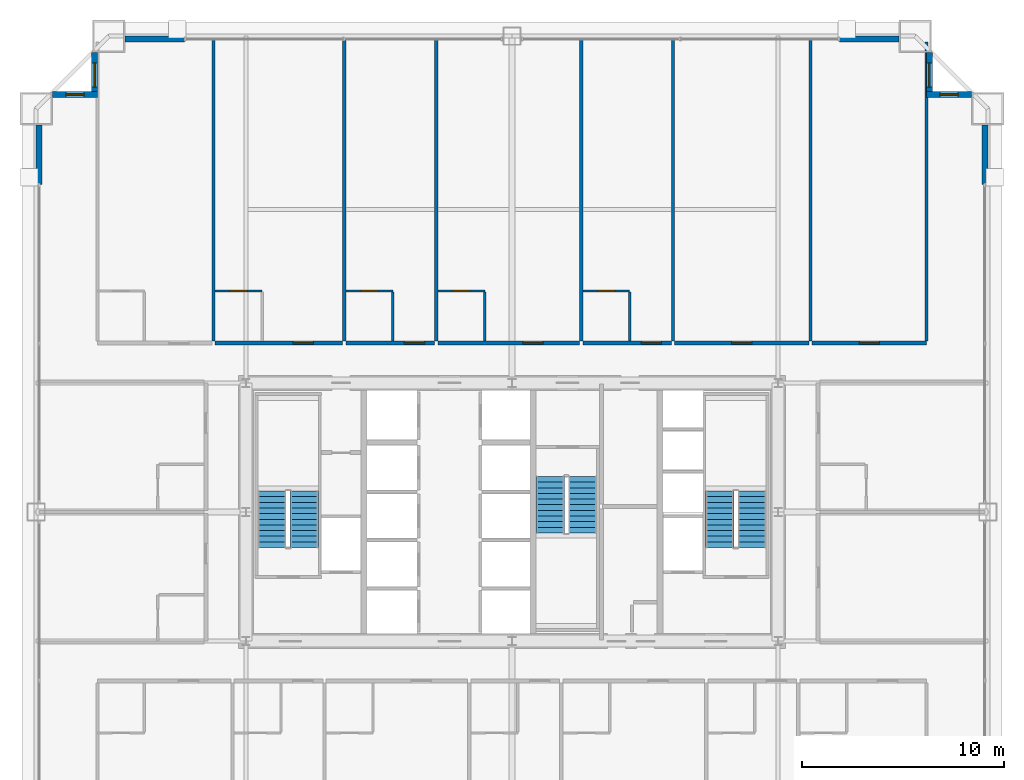
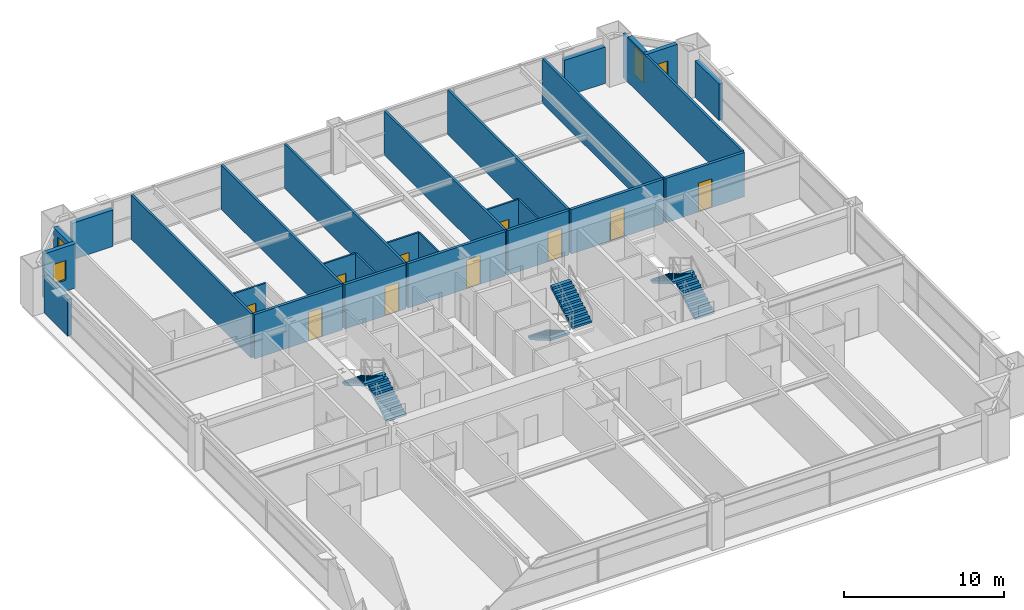
# One storey, part 37 of 38: 28 walls, 10 doors, 6 stair flights, 4 windows, 14 openings, 3 elements without a shape of their own.
"""IFC4 building model written with IfcOpenShell, lengths in metres."""

import ifcopenshell
import ifcopenshell.guid

model = None  # the IFC model being written
_history = None  # IfcOwnerHistory: only IFC2X3 demands one
_inside = {}  # id of a spatial element -> (the spatial element, [elements in it])
_under = {}  # id of a project, library or spatial element -> (it, [spatial elements below it])
_declared = {}  # id of a project -> (the project, [libraries it declares])
_typed = {}  # id of a type object -> (the type object, [elements of that type])
_made_of = {}  # id of a material, layer set ... -> (it, [elements and type objects made of it])


def new_model(schema):
    """Start an empty IFC model of exactly this schema.

    Asked for "IFC4X3", IfcOpenShell would pick the latest addendum, in which some entities
    have other attributes; the version numbers below select the first issue.
    IFC2X3 requires an IfcOwnerHistory on every rooted entity: one is made here for all.
    """
    global model, _history
    if schema == "IFC4X3":
        model = ifcopenshell.file(schema_version=(4, 3, 0, 0))
    else:
        model = ifcopenshell.file(schema=schema)
    _inside.clear()
    _under.clear()
    _declared.clear()
    _typed.clear()
    _made_of.clear()
    _history = None
    if model.schema == "IFC2X3":
        org = make("IfcOrganization", Name="unknown")
        user = make(
            "IfcPersonAndOrganization",
            ThePerson=make("IfcPerson", FamilyName="unknown"),
            TheOrganization=org,
        )
        app = make(
            "IfcApplication",
            ApplicationDeveloper=org,
            Version="unknown",
            ApplicationFullName="unknown",
            ApplicationIdentifier="unknown",
        )
        _history = make(
            "IfcOwnerHistory",
            OwningUser=user,
            OwningApplication=app,
            ChangeAction="ADDED",
            CreationDate=0,
        )
    return model


def make(cls, **values):
    """One entity of the class cls with the attributes given. An attribute that is None is left unset."""
    return model.create_entity(
        cls, **{name: value for name, value in values.items() if value is not None}
    )


def rooted(cls, **values):
    """An entity with a GlobalId (a new one), such as an element, a storey or a relation."""
    return make(cls, GlobalId=ifcopenshell.guid.new(), OwnerHistory=_history, **values)


def si_unit(unit_type, name, prefix=None):
    """IfcSIUnit, for example si_unit("LENGTHUNIT", "METRE", prefix="MILLI")."""
    return make("IfcSIUnit", UnitType=unit_type, Prefix=prefix, Name=name)


def assignment(units):
    """IfcUnitAssignment: the units of a project."""
    return None if units is None else make("IfcUnitAssignment", Units=units)


def point(xyz):
    """IfcCartesianPoint."""
    return None if xyz is None else make("IfcCartesianPoint", Coordinates=xyz)


def direction(xyz):
    """IfcDirection."""
    return None if xyz is None else make("IfcDirection", DirectionRatios=xyz)


def frame(location, z_axis=None, x_axis=None):
    """IfcAxis2Placement3D, a coordinate frame: its origin and axes. An axis left out is left unset."""
    return make(
        "IfcAxis2Placement3D",
        Location=point(location),
        Axis=direction(z_axis),
        RefDirection=direction(x_axis),
    )


def frame_2d(location, x_axis=None):
    """IfcAxis2Placement2D, a coordinate frame in the plane: its origin and x axis."""
    return make(
        "IfcAxis2Placement2D", Location=point(location), RefDirection=direction(x_axis)
    )


def origin():
    """The frame at (0, 0, 0) with its axes left unset."""
    return frame((0.0, 0.0, 0.0))


def place(relative_to, where):
    """IfcLocalPlacement: puts the frame where relative to a parent placement (None: the world)."""
    return make(
        "IfcLocalPlacement", PlacementRelTo=relative_to, RelativePlacement=where
    )


def context(
    kind, dimensions, precision=None, world=None, true_north=None, identifier=None
):
    """IfcGeometricRepresentationContext, for example the 3D "Model" context."""
    return make(
        "IfcGeometricRepresentationContext",
        ContextIdentifier=identifier,
        ContextType=kind,
        CoordinateSpaceDimension=dimensions,
        Precision=precision,
        WorldCoordinateSystem=world,
        TrueNorth=true_north,
    )


def subcontext(parent, identifier, kind, view, scale=None):
    """IfcGeometricRepresentationSubContext, for example "Body" below "Model"."""
    return make(
        "IfcGeometricRepresentationSubContext",
        ContextIdentifier=identifier,
        ContextType=kind,
        ParentContext=parent,
        TargetScale=scale,
        TargetView=view,
    )


def project(units=None, contexts=None):
    """IfcProject with its units and contexts."""
    return rooted(
        "IfcProject",
        Name="project",
        RepresentationContexts=contexts,
        UnitsInContext=assignment(units),
    )


def spatial(cls, under=None, at=None, **own):
    """A site, building, storey or space (cls), placed at a placement, below another one or the project."""
    s = rooted(cls, ObjectPlacement=at, **own)
    if under is not None:
        _under.setdefault(under.id(), (under, []))[1].append(s)
    return s


def polyline(points):
    """IfcPolyline through the points."""
    return make("IfcPolyline", Points=[point(p) for p in points])


def profile(cls, at=None, kind="AREA", **sizes):
    """A parametric profile (cls). Its sizes go by their IFC names, for example OverallWidth=200.0."""
    return make(cls, ProfileType=kind, Position=at, **sizes)


def rectangle(**sizes):
    """IfcRectangleProfileDef."""
    return profile("IfcRectangleProfileDef", **sizes)


def outline(outer, holes=None, kind="AREA"):
    """IfcArbitraryClosedProfileDef: a profile drawn as a closed curve; with holes, ...WithVoids."""
    if holes is None:
        return make("IfcArbitraryClosedProfileDef", ProfileType=kind, OuterCurve=outer)
    return make(
        "IfcArbitraryProfileDefWithVoids",
        ProfileType=kind,
        OuterCurve=outer,
        InnerCurves=holes,
    )


def extrude(swept, where, along, depth):
    """IfcExtrudedAreaSolid: the profile swept, set in the frame where, extruded along a direction by depth."""
    return make(
        "IfcExtrudedAreaSolid",
        SweptArea=swept,
        Position=where,
        ExtrudedDirection=direction(along),
        Depth=depth,
    )


def shape(context_of_items, identifier, shape_type, items):
    """IfcShapeRepresentation: the items that make up one representation, for example the "Body"."""
    return make(
        "IfcShapeRepresentation",
        ContextOfItems=context_of_items,
        RepresentationIdentifier=identifier,
        RepresentationType=shape_type,
        Items=items,
    )


def source(mapping_origin, context_of_items, identifier, shape_type, items):
    """IfcRepresentationMap: a shape defined once, which mapped items show again and again."""
    return make(
        "IfcRepresentationMap",
        MappingOrigin=mapping_origin,
        MappedRepresentation=shape(context_of_items, identifier, shape_type, items),
    )


def transform(
    local_origin,
    x_axis=None,
    y_axis=None,
    z_axis=None,
    scale=None,
    scale2=None,
    scale3=None,
    uniform=True,
):
    """IfcCartesianTransformationOperator3D, or its non-uniform kind. x_axis, y_axis, z_axis: its Axis1, 2, 3."""
    if uniform:
        return make(
            "IfcCartesianTransformationOperator3D",
            Axis1=direction(x_axis),
            Axis2=direction(y_axis),
            LocalOrigin=point(local_origin),
            Scale=scale,
            Axis3=direction(z_axis),
        )
    return make(
        "IfcCartesianTransformationOperator3DnonUniform",
        Axis1=direction(x_axis),
        Axis2=direction(y_axis),
        LocalOrigin=point(local_origin),
        Scale=scale,
        Axis3=direction(z_axis),
        Scale2=scale2,
        Scale3=scale3,
    )


def mapped(mapping_source, mapping_target):
    """IfcMappedItem: shows the shape of a source again, moved by a transform."""
    return make(
        "IfcMappedItem", MappingSource=mapping_source, MappingTarget=mapping_target
    )


def material(Name=None, Category=None):
    """IfcMaterial."""
    return make("IfcMaterial", Name=Name, Category=Category)


def layer(
    of_material, thickness, ventilated=None, Name=None, Category=None, Priority=None
):
    """IfcMaterialLayer: one layer of a wall or slab, of a material (None: an air gap)."""
    return make(
        "IfcMaterialLayer",
        Material=of_material,
        LayerThickness=thickness,
        IsVentilated=ventilated,
        Name=Name,
        Category=Category,
        Priority=Priority,
    )


def layer_set(layers, Name=None):
    """IfcMaterialLayerSet."""
    return make("IfcMaterialLayerSet", MaterialLayers=layers, LayerSetName=Name)


def made_of(thing, what):
    """Note that an element or type object is made of a material, layer set ...; save() writes the relation."""
    if what is not None:
        _made_of.setdefault(what.id(), (what, []))[1].append(thing)
    return thing


def type_object(cls, material=None, **own):
    """A type object (cls), such as IfcWallType, which elements share."""
    return made_of(rooted(cls, **own), material)


def element(
    cls,
    number,
    at=None,
    inside=None,
    cuts=None,
    type_object=None,
    material=None,
    context=None,
    identifier="Body",
    shape_type=None,
    held_by="IfcProductDefinitionShape",
    body=None,
    shapes=None,
    **own,
):
    """One element of the class cls, such as IfcWall. Its Tag is "e" and its number.

    at: its placement. inside: the storey or other place that contains it. cuts: it is an
    opening in that element (IfcRelVoidsElement). A single representation is given by context,
    identifier, shape_type and body (its items); several are given by shapes. held_by: the class
    of the entity that holds the representations. save() writes the other relations.
    """
    e = rooted(cls, Tag="e%d" % number, ObjectPlacement=at, **own)
    if body is not None:
        shapes = [shape(context, identifier, shape_type, body)]
    if shapes is not None:
        e.Representation = make(held_by, Representations=shapes)
    if inside is not None:
        _inside.setdefault(inside.id(), (inside, []))[1].append(e)
    if cuts is not None:
        rooted(
            "IfcRelVoidsElement", RelatingBuildingElement=cuts, RelatedOpeningElement=e
        )
    if type_object is not None:
        _typed.setdefault(type_object.id(), (type_object, []))[1].append(e)
    return made_of(e, material)


def fill(opening, filler):
    """IfcRelFillsElement: the door or window that sits in an opening."""
    return rooted(
        "IfcRelFillsElement",
        RelatingOpeningElement=opening,
        RelatedBuildingElement=filler,
    )


def aggregate(whole, parts):
    """IfcRelAggregates: a whole, such as a stair, and the parts it consists of."""
    return rooted("IfcRelAggregates", RelatingObject=whole, RelatedObjects=parts)


def save(model, path):
    """Write the relations noted so far, then the file.

    IfcRelAggregates (storeys below a building ...), IfcRelContainedInSpatialStructure (elements
    in a storey), IfcRelDefinesByType, IfcRelAssociatesMaterial and IfcRelDeclares: one each for
    every whole, place, type object, material and project.
    """
    for whole, parts in _under.values():
        aggregate(whole, parts)
    for where, things in _inside.values():
        rooted(
            "IfcRelContainedInSpatialStructure",
            RelatedElements=things,
            RelatingStructure=where,
        )
    for kind, things in _typed.values():
        rooted("IfcRelDefinesByType", RelatedObjects=things, RelatingType=kind)
    for what, things in _made_of.values():
        rooted("IfcRelAssociatesMaterial", RelatedObjects=things, RelatingMaterial=what)
    for by, libraries in _declared.values():
        rooted("IfcRelDeclares", RelatingContext=by, RelatedDefinitions=libraries)
    model.write(path)


model = new_model("IFC4")

# Units and contexts
model_context = context("Model", 3, precision=1e-05, world=origin(), true_north=direction((0.0, 1.0)))
body_context = subcontext(model_context, "Body", "Model", "MODEL_VIEW")
ifc_project = project(units=[si_unit("LENGTHUNIT", "METRE"), si_unit("AREAUNIT", "SQUARE_METRE"), si_unit("VOLUMEUNIT", "CUBIC_METRE"), si_unit("PLANEANGLEUNIT", "RADIAN"), si_unit("MASSUNIT", "GRAM", prefix="KILO"), si_unit("THERMODYNAMICTEMPERATUREUNIT", "KELVIN"), si_unit("POWERUNIT", "WATT")], contexts=[model_context])

# Site, building, storey
site_placement = place(None, origin())
site = spatial("IfcSite", under=ifc_project, at=site_placement, CompositionType="ELEMENT")
building_placement = place(site_placement, origin())
building = spatial("IfcBuilding", under=site, at=building_placement, Name="Yuzanri Waterfront Tower", CompositionType="ELEMENT")
storey_placement = place(building_placement, frame((0.0, 0.0, 97.39990234375)))
storey = spatial("IfcBuildingStorey", under=building, at=storey_placement, Name="L25", CompositionType="ELEMENT", Elevation=97.39990234375)

# Wall, opening, door
ifc_material_1 = material(Name="Moisture-Resistant Gypsum Stud Wall", Category="gypsum")
ifc_layer_1 = layer(ifc_material_1, 0.1201171875)
ifc_layer_set_1 = layer_set([ifc_layer_1], Name="Moisture-Resistant Gypsum Stud Wall")
wall_type_1 = type_object("IfcWallType", Name="Bathroom and Kitchen Wet Partition 120", PredefinedType="PARTITIONING", material=ifc_layer_set_1)
wall_1_placement = place(storey_placement, frame((22.277099609375, 36.760009765625, 0.0), z_axis=(0.0, 0.0, 1.0), x_axis=(1.0, 0.0, 0.0)))
wall_1 = element("IfcWall", 1, at=wall_1_placement, inside=storey, type_object=wall_type_1, Name="L25 Partition UW-L25-N2-BN", PredefinedType="PARTITIONING", context=body_context, shape_type="SweptSolid", body=[
    extrude(rectangle(XDim=2.329833984375, YDim=0.1201171875, at=frame_2d((1.1650390625, 0.0))), origin(), (0.0, 0.0, 1.0), 3.380126953125),
])
opening_1_placement = place(wall_1_placement, frame((0.739990234375, 0.0, 0.0)))
opening_1 = element("IfcOpeningElement", 2, at=opening_1_placement, cuts=wall_1, Name="Opening ID-0850", PredefinedType="OPENING", context=body_context, shape_type="SweptSolid", body=[
    extrude(rectangle(XDim=0.85009765625, YDim=2.10009765625, at=frame_2d((0.425048828125, 1.050048828125))), frame((0.0, 0.074951171875, 0.0), z_axis=(0.0, -1.0, 0.0), x_axis=(1.0, 0.0, 0.0)), (0.0, 0.0, 1.0), 0.14990234375),
])
ifc_material_2 = material(Name="Moisture-Resistant Lacquered Timber", Category="wood")
door_type_1 = type_object("IfcDoorType", Name="En-Suite Bathroom and Kitchen Swing Door 850x2100", OperationType="NOTDEFINED", PredefinedType="DOOR", material=ifc_material_2)
shared_shape_1 = source(origin(), body_context, "Body", "SweptSolid", [
    extrude(rectangle(XDim=0.85009765625, YDim=2.10009765625, at=frame_2d((0.425048828125, 1.050048828125))), frame((0.0, 0.02490234375, 0.0), z_axis=(0.0, -1.0, 0.0), x_axis=(1.0, 0.0, 0.0)), (0.0, 0.0, 1.0), 0.050048828125),
])
door_1_placement = place(opening_1_placement, origin())
door_1 = element("IfcDoor", 3, at=door_1_placement, inside=storey, type_object=door_type_1, Name="L25 Guest En-Suite Door", OperationType="SINGLE_SWING_LEFT", OverallHeight=2.10009765625, OverallWidth=0.85009765625, PredefinedType="DOOR", context=body_context, shape_type="MappedRepresentation", body=[
    mapped(shared_shape_1, transform((0.0, 0.0, 0.0), scale=1.0)),
])
fill(opening_1, door_1)

wall_2_placement = place(storey_placement, frame((28.761962890625, 36.760009765625, 0.0), z_axis=(0.0, 0.0, 1.0), x_axis=(1.0, 0.0, 0.0)))
wall_2 = element("IfcWall", 4, at=wall_2_placement, inside=storey, type_object=wall_type_1, Name="L25 Partition UW-L25-N3-BN", PredefinedType="PARTITIONING", context=body_context, shape_type="SweptSolid", body=[
    extrude(rectangle(XDim=2.328125, YDim=0.1201171875, at=frame_2d((1.1640625, 0.0))), origin(), (0.0, 0.0, 1.0), 3.380126953125),
])
opening_2_placement = place(wall_2_placement, frame((0.739013671875, 0.0, 0.0)))
opening_2 = element("IfcOpeningElement", 5, at=opening_2_placement, cuts=wall_2, Name="Opening ID-0850", PredefinedType="OPENING", context=body_context, shape_type="SweptSolid", body=[
    extrude(rectangle(XDim=0.85009765625, YDim=2.10009765625, at=frame_2d((0.425048828125, 1.050048828125))), frame((0.0, 0.074951171875, 0.0), z_axis=(0.0, -1.0, 0.0), x_axis=(1.0, 0.0, 0.0)), (0.0, 0.0, 1.0), 0.14990234375),
])
door_2_placement = place(opening_2_placement, origin())
door_2 = element("IfcDoor", 6, at=door_2_placement, inside=storey, type_object=door_type_1, Name="L25 Guest En-Suite Door", OperationType="SINGLE_SWING_LEFT", OverallHeight=2.10009765625, OverallWidth=0.85009765625, PredefinedType="DOOR", context=body_context, shape_type="MappedRepresentation", body=[
    mapped(shared_shape_1, transform((0.0, 0.0, 0.0), scale=1.0)),
])
fill(opening_2, door_2)

wall_3_placement = place(storey_placement, frame((33.320068359375, 36.760009765625, 0.0), z_axis=(0.0, 0.0, 1.0), x_axis=(1.0, 0.0, 0.0)))
wall_3 = element("IfcWall", 7, at=wall_3_placement, inside=storey, type_object=wall_type_1, Name="L25 Partition UW-L25-N4-BN", PredefinedType="PARTITIONING", context=body_context, shape_type="SweptSolid", body=[
    extrude(rectangle(XDim=2.329833984375, YDim=0.1201171875, at=frame_2d((1.1650390625, 0.0))), origin(), (0.0, 0.0, 1.0), 3.380126953125),
])
opening_3_placement = place(wall_3_placement, frame((0.739990234375, 0.0, 0.0)))
opening_3 = element("IfcOpeningElement", 8, at=opening_3_placement, cuts=wall_3, Name="Opening ID-0850", PredefinedType="OPENING", context=body_context, shape_type="SweptSolid", body=[
    extrude(rectangle(XDim=0.85009765625, YDim=2.10009765625, at=frame_2d((0.425048828125, 1.050048828125))), frame((0.0, 0.074951171875, 0.0), z_axis=(0.0, -1.0, 0.0), x_axis=(1.0, 0.0, 0.0)), (0.0, 0.0, 1.0), 0.14990234375),
])
door_3_placement = place(opening_3_placement, origin())
door_3 = element("IfcDoor", 9, at=door_3_placement, inside=storey, type_object=door_type_1, Name="L25 Guest En-Suite Door", OperationType="SINGLE_SWING_LEFT", OverallHeight=2.10009765625, OverallWidth=0.85009765625, PredefinedType="DOOR", context=body_context, shape_type="MappedRepresentation", body=[
    mapped(shared_shape_1, transform((0.0, 0.0, 0.0), scale=1.0)),
])
fill(opening_3, door_3)

wall_4_placement = place(storey_placement, frame((40.510986328125, 36.760009765625, 0.0), z_axis=(0.0, 0.0, 1.0), x_axis=(1.0, 0.0, 0.0)))
wall_4 = element("IfcWall", 10, at=wall_4_placement, inside=storey, type_object=wall_type_1, Name="L25 Partition UW-L25-N5-BN", PredefinedType="PARTITIONING", context=body_context, shape_type="SweptSolid", body=[
    extrude(rectangle(XDim=2.328125, YDim=0.1201171875, at=frame_2d((1.1640625, 0.0))), origin(), (0.0, 0.0, 1.0), 3.380126953125),
])
opening_4_placement = place(wall_4_placement, frame((0.739013671875, 0.0, 0.0)))
opening_4 = element("IfcOpeningElement", 11, at=opening_4_placement, cuts=wall_4, Name="Opening ID-0850", PredefinedType="OPENING", context=body_context, shape_type="SweptSolid", body=[
    extrude(rectangle(XDim=0.85009765625, YDim=2.10009765625, at=frame_2d((0.425048828125, 1.050048828125))), frame((0.0, 0.074951171875, 0.0), z_axis=(0.0, -1.0, 0.0), x_axis=(1.0, 0.0, 0.0)), (0.0, 0.0, 1.0), 0.14990234375),
])
door_4_placement = place(opening_4_placement, origin())
door_4 = element("IfcDoor", 12, at=door_4_placement, inside=storey, type_object=door_type_1, Name="L25 Guest En-Suite Door", OperationType="SINGLE_SWING_LEFT", OverallHeight=2.10009765625, OverallWidth=0.85009765625, PredefinedType="DOOR", context=body_context, shape_type="MappedRepresentation", body=[
    mapped(shared_shape_1, transform((0.0, 0.0, 0.0), scale=1.0)),
])
fill(opening_4, door_4)

# Wall, opening, window
ifc_material_3 = material(Name="Honed Chongqing Dark Basalt Stone", Category="masonry")
ifc_layer_2 = layer(ifc_material_3, 0.300048828125)
ifc_layer_set_2 = layer_set([ifc_layer_2], Name="Honed Chongqing Dark Basalt Stone")
wall_type_2 = type_object("IfcWallType", Name="Bronze Rainscreen Insulated Spandrel Portal Wall 300", PredefinedType="SOLIDWALL", material=ifc_layer_set_2)
wall_5_placement = place(storey_placement, frame((16.449951171875, 46.5, 0.0), z_axis=(0.0, 0.0, 1.0), x_axis=(-1.0, 0.0, 0.0)))
wall_5 = element("IfcWall", 13, at=wall_5_placement, inside=storey, type_object=wall_type_2, Name="L25 Notched Corner Masonry Wall NW-X", PredefinedType="SOLIDWALL", context=body_context, shape_type="SweptSolid", body=[
    extrude(rectangle(XDim=2.25, YDim=0.300048828125, at=frame_2d((1.125, 0.0))), origin(), (0.0, 0.0, 1.0), 3.380126953125),
])
opening_5_placement = place(wall_5_placement, frame((0.675048828125, 0.0, 0.85009765625)))
opening_5 = element("IfcOpeningElement", 14, at=opening_5_placement, cuts=wall_5, Name="Opening WN-05", PredefinedType="OPENING", context=body_context, shape_type="SweptSolid", body=[
    extrude(rectangle(XDim=0.89990234375, YDim=1.5, at=frame_2d((0.449951171875, 0.75))), frame((0.0, 0.1650390625, 0.0), z_axis=(0.0, -1.0, 0.0), x_axis=(1.0, 0.0, 0.0)), (0.0, 0.0, 1.0), 0.329833984375),
])
ifc_material_4 = material(Name="Double-Silver Low-E Insulated Glass", Category="glass")
window_type_1 = type_object("IfcWindowType", Name="Anodized Bronze Service and Stairwell Smoke-Vent Window 900x1500", PartitioningType="SINGLE_PANEL", PredefinedType="WINDOW", material=ifc_material_4)
shared_shape_2 = source(origin(), body_context, "Body", "SweptSolid", [
    extrude(rectangle(XDim=0.89990234375, YDim=1.5, at=frame_2d((0.449951171875, 0.75))), frame((0.0, 0.030029296875, 0.0), z_axis=(0.0, -1.0, 0.0), x_axis=(1.0, 0.0, 0.0)), (0.0, 0.0, 1.0), 0.06005859375),
])
window_1_placement = place(opening_5_placement, origin())
window_1 = element("IfcWindow", 15, at=window_1_placement, inside=storey, type_object=window_type_1, Name="L25 Notched Corner Window NW-X", OverallHeight=1.5, OverallWidth=0.89990234375, PartitioningType="SINGLE_PANEL", PredefinedType="WINDOW", context=body_context, shape_type="MappedRepresentation", body=[
    mapped(shared_shape_2, transform((0.0, 0.0, 0.0), scale=1.0)),
])
fill(opening_5, window_1)

wall_6_placement = place(storey_placement, frame((16.300048828125, 48.60009765625, 0.0), z_axis=(0.0, 0.0, 1.0), x_axis=(0.0, -1.0, 0.0)))
wall_6 = element("IfcWall", 16, at=wall_6_placement, inside=storey, type_object=wall_type_2, Name="L25 Notched Corner Masonry Wall NW-Y", PredefinedType="SOLIDWALL", context=body_context, shape_type="SweptSolid", body=[
    extrude(rectangle(XDim=2.25, YDim=0.300048828125, at=frame_2d((1.125, 0.0))), origin(), (0.0, 0.0, 1.0), 3.380126953125),
])
opening_6_placement = place(wall_6_placement, frame((0.52490234375, 0.0, 0.85009765625)))
opening_6 = element("IfcOpeningElement", 17, at=opening_6_placement, cuts=wall_6, Name="Opening WN-02", PredefinedType="OPENING", context=body_context, shape_type="SweptSolid", body=[
    extrude(rectangle(XDim=1.199951171875, YDim=2.10009765625, at=frame_2d((0.60009765625, 1.050048828125))), frame((0.0, 0.1650390625, 0.0), z_axis=(0.0, -1.0, 0.0), x_axis=(1.0, 0.0, 0.0)), (0.0, 0.0, 1.0), 0.329833984375),
])
ifc_material_5 = material(Name="Double-Silver Low-E Insulated Glass", Category="glass")
window_type_2 = type_object("IfcWindowType", Name="Anodized Bronze Notched Corner Deep-Set Slot Window 1200x2100", PartitioningType="SINGLE_PANEL", PredefinedType="WINDOW", material=ifc_material_5)
shared_shape_3 = source(origin(), body_context, "Body", "SweptSolid", [
    extrude(rectangle(XDim=1.199951171875, YDim=2.10009765625, at=frame_2d((0.60009765625, 1.050048828125))), frame((0.0, 0.030029296875, 0.0), z_axis=(0.0, -1.0, 0.0), x_axis=(1.0, 0.0, 0.0)), (0.0, 0.0, 1.0), 0.06005859375),
])
window_2_placement = place(opening_6_placement, origin())
window_2 = element("IfcWindow", 18, at=window_2_placement, inside=storey, type_object=window_type_2, Name="L25 Notched Corner Window NW-Y", OverallHeight=2.10009765625, OverallWidth=1.199951171875, PartitioningType="SINGLE_PANEL", PredefinedType="WINDOW", context=body_context, shape_type="MappedRepresentation", body=[
    mapped(shared_shape_3, transform((0.0, 0.0, 0.0), scale=1.0)),
])
fill(opening_6, window_2)

wall_7_placement = place(storey_placement, frame((59.800048828125, 46.5, 0.0), z_axis=(0.0, 0.0, 1.0), x_axis=(-1.0, 0.0, 0.0)))
wall_7 = element("IfcWall", 19, at=wall_7_placement, inside=storey, type_object=wall_type_2, Name="L25 Notched Corner Masonry Wall NE-X", PredefinedType="SOLIDWALL", context=body_context, shape_type="SweptSolid", body=[
    extrude(rectangle(XDim=2.25, YDim=0.300048828125, at=frame_2d((1.125, 0.0))), origin(), (0.0, 0.0, 1.0), 3.380126953125),
])
opening_7_placement = place(wall_7_placement, frame((0.675048828125, 0.0, 0.85009765625)))
opening_7 = element("IfcOpeningElement", 20, at=opening_7_placement, cuts=wall_7, Name="Opening WN-05", PredefinedType="OPENING", context=body_context, shape_type="SweptSolid", body=[
    extrude(rectangle(XDim=0.89990234375, YDim=1.5, at=frame_2d((0.449951171875, 0.75))), frame((0.0, 0.1650390625, 0.0), z_axis=(0.0, -1.0, 0.0), x_axis=(1.0, 0.0, 0.0)), (0.0, 0.0, 1.0), 0.329833984375),
])
window_3_placement = place(opening_7_placement, origin())
window_3 = element("IfcWindow", 21, at=window_3_placement, inside=storey, type_object=window_type_1, Name="L25 Notched Corner Window NE-X", OverallHeight=1.5, OverallWidth=0.89990234375, PartitioningType="SINGLE_PANEL", PredefinedType="WINDOW", context=body_context, shape_type="MappedRepresentation", body=[
    mapped(shared_shape_2, transform((0.0, 0.0, 0.0), scale=1.0)),
])
fill(opening_7, window_3)

wall_8_placement = place(storey_placement, frame((57.699951171875, 46.35009765625, 0.0), z_axis=(0.0, 0.0, 1.0), x_axis=(0.0, 1.0, 0.0)))
wall_8 = element("IfcWall", 22, at=wall_8_placement, inside=storey, type_object=wall_type_2, Name="L25 Notched Corner Masonry Wall NE-Y", PredefinedType="SOLIDWALL", context=body_context, shape_type="SweptSolid", body=[
    extrude(rectangle(XDim=2.25, YDim=0.300048828125, at=frame_2d((1.125, 0.0))), origin(), (0.0, 0.0, 1.0), 3.380126953125),
])
opening_8_placement = place(wall_8_placement, frame((0.52490234375, 0.0, 0.85009765625)))
opening_8 = element("IfcOpeningElement", 23, at=opening_8_placement, cuts=wall_8, Name="Opening WN-02", PredefinedType="OPENING", context=body_context, shape_type="SweptSolid", body=[
    extrude(rectangle(XDim=1.199951171875, YDim=2.10009765625, at=frame_2d((0.60009765625, 1.050048828125))), frame((0.0, 0.1650390625, 0.0), z_axis=(0.0, -1.0, 0.0), x_axis=(1.0, 0.0, 0.0)), (0.0, 0.0, 1.0), 0.329833984375),
])
window_4_placement = place(opening_8_placement, origin())
window_4 = element("IfcWindow", 24, at=window_4_placement, inside=storey, type_object=window_type_2, Name="L25 Notched Corner Window NE-Y", OverallHeight=2.10009765625, OverallWidth=1.199951171875, PartitioningType="SINGLE_PANEL", PredefinedType="WINDOW", context=body_context, shape_type="MappedRepresentation", body=[
    mapped(shared_shape_3, transform((0.0, 0.0, 0.0), scale=1.0)),
])
fill(opening_8, window_4)

# Wall, opening, door
ifc_material_6 = material(Name="Autoclaved Aerated Concrete Blockwork", Category="masonry")
ifc_layer_3 = layer(ifc_material_6, 0.199951171875)
ifc_layer_set_3 = layer_set([ifc_layer_3], Name="Autoclaved Aerated Concrete Blockwork")
wall_type_3 = type_object("IfcWallType", Name="Corridor and Unit Party Fire Wall 200", PredefinedType="PARTITIONING", material=ifc_layer_set_3)
wall_9_placement = place(storey_placement, frame((22.277099609375, 34.179931640625, 0.0), z_axis=(0.0, 0.0, 1.0), x_axis=(1.0, 0.0, 0.0)))
wall_9 = element("IfcWall", 25, at=wall_9_placement, inside=storey, type_object=wall_type_3, Name="L25 Partition UW-L25-N2-CS", PredefinedType="PARTITIONING", context=body_context, shape_type="SweptSolid", body=[
    extrude(rectangle(XDim=6.324951171875, YDim=0.199951171875, at=frame_2d((3.16259765625, 0.0))), origin(), (0.0, 0.0, 1.0), 3.380126953125),
])
opening_9_placement = place(wall_9_placement, frame((3.867919921875, 0.0, 0.0)))
opening_9 = element("IfcOpeningElement", 26, at=opening_9_placement, cuts=wall_9, Name="Opening FD-1000", PredefinedType="OPENING", context=body_context, shape_type="SweptSolid", body=[
    extrude(rectangle(XDim=1.0, YDim=2.199951171875, at=frame_2d((0.5, 1.10009765625))), frame((0.0, 0.11474609375, 0.0), z_axis=(0.0, -1.0, 0.0), x_axis=(1.0, 0.0, 0.0)), (0.0, 0.0, 1.0), 0.229736328125),
])
ifc_material_7 = material(Name="Engineered Oak Fire-Rated Timber", Category="wood")
door_type_2 = type_object("IfcDoorType", Name="Guestroom and Apartment Entrance Fire Door 1000x2200", OperationType="NOTDEFINED", PredefinedType="DOOR", material=ifc_material_7)
shared_shape_4 = source(origin(), body_context, "Body", "SweptSolid", [
    extrude(rectangle(XDim=1.0, YDim=2.199951171875, at=frame_2d((0.5, 1.10009765625))), frame((0.0, 0.02490234375, 0.0), z_axis=(0.0, -1.0, 0.0), x_axis=(1.0, 0.0, 0.0)), (0.0, 0.0, 1.0), 0.050048828125),
])
door_5_placement = place(opening_9_placement, origin())
door_5 = element("IfcDoor", 27, at=door_5_placement, inside=storey, type_object=door_type_2, Name="L25 Deluxe Queen Junior Suite Entrance Door", OperationType="SINGLE_SWING_RIGHT", OverallHeight=2.199951171875, OverallWidth=1.0, PredefinedType="DOOR", context=body_context, shape_type="MappedRepresentation", body=[
    mapped(shared_shape_4, transform((0.0, 0.0, 0.0), scale=1.0)),
])
fill(opening_9, door_5)

wall_10_placement = place(storey_placement, frame((28.761962890625, 34.179931640625, 0.0), z_axis=(0.0, 0.0, 1.0), x_axis=(1.0, 0.0, 0.0)))
wall_10 = element("IfcWall", 28, at=wall_10_placement, inside=storey, type_object=wall_type_3, Name="L25 Partition UW-L25-N3-CS", PredefinedType="PARTITIONING", context=body_context, shape_type="SweptSolid", body=[
    extrude(rectangle(XDim=4.39794921875, YDim=0.199951171875, at=frame_2d((2.198974609375, 0.0))), origin(), (0.0, 0.0, 1.0), 3.380126953125),
])
opening_10_placement = place(wall_10_placement, frame((2.903076171875, 0.0, 0.0)))
opening_10 = element("IfcOpeningElement", 29, at=opening_10_placement, cuts=wall_10, Name="Opening FD-1000", PredefinedType="OPENING", context=body_context, shape_type="SweptSolid", body=[
    extrude(rectangle(XDim=1.0, YDim=2.199951171875, at=frame_2d((0.5, 1.10009765625))), frame((0.0, 0.11474609375, 0.0), z_axis=(0.0, -1.0, 0.0), x_axis=(1.0, 0.0, 0.0)), (0.0, 0.0, 1.0), 0.229736328125),
])
door_6_placement = place(opening_10_placement, origin())
door_6 = element("IfcDoor", 30, at=door_6_placement, inside=storey, type_object=door_type_2, Name="L25 Deluxe Queen Guest Room Entrance Door", OperationType="SINGLE_SWING_RIGHT", OverallHeight=2.199951171875, OverallWidth=1.0, PredefinedType="DOOR", context=body_context, shape_type="MappedRepresentation", body=[
    mapped(shared_shape_4, transform((0.0, 0.0, 0.0), scale=1.0)),
])
fill(opening_10, door_6)

wall_11_placement = place(storey_placement, frame((33.320068359375, 34.179931640625, 0.0), z_axis=(0.0, 0.0, 1.0), x_axis=(1.0, 0.0, 0.0)))
wall_11 = element("IfcWall", 31, at=wall_11_placement, inside=storey, type_object=wall_type_3, Name="L25 Partition UW-L25-N4-CS", PredefinedType="PARTITIONING", context=body_context, shape_type="SweptSolid", body=[
    extrude(rectangle(XDim=7.031005859375, YDim=0.199951171875, at=frame_2d((3.515625, 0.0))), origin(), (0.0, 0.0, 1.0), 3.380126953125),
])
opening_11_placement = place(wall_11_placement, frame((4.219970703125, 0.0, 0.0)))
opening_11 = element("IfcOpeningElement", 32, at=opening_11_placement, cuts=wall_11, Name="Opening FD-1000", PredefinedType="OPENING", context=body_context, shape_type="SweptSolid", body=[
    extrude(rectangle(XDim=1.0, YDim=2.199951171875, at=frame_2d((0.5, 1.10009765625))), frame((0.0, 0.11474609375, 0.0), z_axis=(0.0, -1.0, 0.0), x_axis=(1.0, 0.0, 0.0)), (0.0, 0.0, 1.0), 0.229736328125),
])
door_7_placement = place(opening_11_placement, origin())
door_7 = element("IfcDoor", 33, at=door_7_placement, inside=storey, type_object=door_type_2, Name="L25 Deluxe Queen Junior Suite Entrance Door", OperationType="SINGLE_SWING_RIGHT", OverallHeight=2.199951171875, OverallWidth=1.0, PredefinedType="DOOR", context=body_context, shape_type="MappedRepresentation", body=[
    mapped(shared_shape_4, transform((0.0, 0.0, 0.0), scale=1.0)),
])
fill(opening_11, door_7)

wall_12_placement = place(storey_placement, frame((40.510986328125, 34.179931640625, 0.0), z_axis=(0.0, 0.0, 1.0), x_axis=(1.0, 0.0, 0.0)))
wall_12 = element("IfcWall", 34, at=wall_12_placement, inside=storey, type_object=wall_type_3, Name="L25 Partition UW-L25-N5-CS", PredefinedType="PARTITIONING", context=body_context, shape_type="SweptSolid", body=[
    extrude(rectangle(XDim=4.39794921875, YDim=0.199951171875, at=frame_2d((2.198974609375, 0.0))), origin(), (0.0, 0.0, 1.0), 3.380126953125),
])
opening_12_placement = place(wall_12_placement, frame((2.903076171875, 0.0, 0.0)))
opening_12 = element("IfcOpeningElement", 35, at=opening_12_placement, cuts=wall_12, Name="Opening FD-1000", PredefinedType="OPENING", context=body_context, shape_type="SweptSolid", body=[
    extrude(rectangle(XDim=1.0, YDim=2.199951171875, at=frame_2d((0.5, 1.10009765625))), frame((0.0, 0.11474609375, 0.0), z_axis=(0.0, -1.0, 0.0), x_axis=(1.0, 0.0, 0.0)), (0.0, 0.0, 1.0), 0.229736328125),
])
door_8_placement = place(opening_12_placement, origin())
door_8 = element("IfcDoor", 36, at=door_8_placement, inside=storey, type_object=door_type_2, Name="L25 Deluxe Queen Guest Room Entrance Door", OperationType="SINGLE_SWING_RIGHT", OverallHeight=2.199951171875, OverallWidth=1.0, PredefinedType="DOOR", context=body_context, shape_type="MappedRepresentation", body=[
    mapped(shared_shape_4, transform((0.0, 0.0, 0.0), scale=1.0)),
])
fill(opening_12, door_8)

wall_13_placement = place(storey_placement, frame((45.069091796875, 34.179931640625, 0.0), z_axis=(0.0, 0.0, 1.0), x_axis=(1.0, 0.0, 0.0)))
wall_13 = element("IfcWall", 37, at=wall_13_placement, inside=storey, type_object=wall_type_3, Name="L25 Partition UW-L25-N6-CS", PredefinedType="PARTITIONING", context=body_context, shape_type="SweptSolid", body=[
    extrude(rectangle(XDim=6.65380859375, YDim=0.199951171875, at=frame_2d((3.326904296875, 0.0))), origin(), (0.0, 0.0, 1.0), 3.380126953125),
])
opening_13_placement = place(wall_13_placement, frame((2.826904296875, 0.0, 0.0)))
opening_13 = element("IfcOpeningElement", 38, at=opening_13_placement, cuts=wall_13, Name="Opening FD-1000", PredefinedType="OPENING", context=body_context, shape_type="SweptSolid", body=[
    extrude(rectangle(XDim=1.0, YDim=2.199951171875, at=frame_2d((0.5, 1.10009765625))), frame((0.0, 0.11474609375, 0.0), z_axis=(0.0, -1.0, 0.0), x_axis=(1.0, 0.0, 0.0)), (0.0, 0.0, 1.0), 0.229736328125),
])
door_9_placement = place(opening_13_placement, origin())
door_9 = element("IfcDoor", 39, at=door_9_placement, inside=storey, type_object=door_type_2, Name="L25 Business Office 1 Entrance Door", OperationType="SINGLE_SWING_RIGHT", OverallHeight=2.199951171875, OverallWidth=1.0, PredefinedType="DOOR", context=body_context, shape_type="MappedRepresentation", body=[
    mapped(shared_shape_4, transform((0.0, 0.0, 0.0), scale=1.0)),
])
fill(opening_13, door_9)

wall_14_placement = place(storey_placement, frame((51.883056640625, 34.179931640625, 0.0), z_axis=(0.0, 0.0, 1.0), x_axis=(1.0, 0.0, 0.0)))
wall_14 = element("IfcWall", 40, at=wall_14_placement, inside=storey, type_object=wall_type_3, Name="L25 Partition UW-L25-N7-CS", PredefinedType="PARTITIONING", context=body_context, shape_type="SweptSolid", body=[
    extrude(rectangle(XDim=5.677001953125, YDim=0.199951171875, at=frame_2d((2.83837890625, 0.0))), origin(), (0.0, 0.0, 1.0), 3.380126953125),
])
opening_14_placement = place(wall_14_placement, frame((2.339111328125, 0.0, 0.0)))
opening_14 = element("IfcOpeningElement", 41, at=opening_14_placement, cuts=wall_14, Name="Opening FD-1000", PredefinedType="OPENING", context=body_context, shape_type="SweptSolid", body=[
    extrude(rectangle(XDim=1.0, YDim=2.199951171875, at=frame_2d((0.5, 1.10009765625))), frame((0.0, 0.11474609375, 0.0), z_axis=(0.0, -1.0, 0.0), x_axis=(1.0, 0.0, 0.0)), (0.0, 0.0, 1.0), 0.229736328125),
])
door_10_placement = place(opening_14_placement, origin())
door_10 = element("IfcDoor", 42, at=door_10_placement, inside=storey, type_object=door_type_2, Name="L25 Business Office 2 Entrance Door", OperationType="SINGLE_SWING_LEFT", OverallHeight=2.199951171875, OverallWidth=1.0, PredefinedType="DOOR", context=body_context, shape_type="MappedRepresentation", body=[
    mapped(shared_shape_4, transform((0.0, 0.0, 0.0), scale=1.0)),
])
fill(opening_14, door_10)

# Walls
shared_shape_5 = source(origin(), body_context, "Body", "SweptSolid", [
    extrude(rectangle(XDim=2.949951171875, YDim=0.300048828125, at=frame_2d((1.47509765625, 0.0))), origin(), (0.0, 0.0, 1.0), 2.775146484375),
])
for number, where, z_axis, x_axis, name in (
    (43, (17.800048828125, 49.25, 0.0), (0.0, 0.0, 1.0), (1.0, 0.0, 0.0), "L25 N Left Braced Masonry Shoulder"),
    (44, (53.25, 49.25, 0.0), (0.0, 0.0, 1.0), (1.0, 0.0, 0.0), "L25 N Right Braced Masonry Shoulder"),
    (45, (13.550048828125, 42.050048828125, 0.0), (0.0, 0.0, 1.0), (0.0, 1.0, 0.0), "L25 W Right Braced Masonry Shoulder"),
    (46, (60.449951171875, 42.050048828125, 0.0), (0.0, 0.0, 1.0), (0.0, 1.0, 0.0), "L25 E Right Braced Masonry Shoulder"),
):
    element("IfcWall", number, at=place(storey_placement, frame(where, z_axis=z_axis, x_axis=x_axis)), inside=storey, type_object=wall_type_2, Name=name, PredefinedType="SOLIDWALL", context=body_context, shape_type="MappedRepresentation", body=[
        mapped(shared_shape_5, transform((0.0, 0.0, 0.0), scale=1.0)),
    ])
shared_shape_6 = source(origin(), body_context, "Body", "SweptSolid", [
    extrude(rectangle(XDim=2.419921875, YDim=0.1201171875, at=frame_2d((1.2099609375, 0.0))), origin(), (0.0, 0.0, 1.0), 3.380126953125),
])
for number, where, z_axis, x_axis, name in (
    (47, (31.090087890625, 34.280029296875, 0.0), (0.0, 0.0, 1.0), (0.0, 1.0, 0.0), "L25-N3 En-Suite Side Wall"),
    (48, (35.64990234375, 34.280029296875, 0.0), (0.0, 0.0, 1.0), (0.0, 1.0, 0.0), "L25-N4 En-Suite Side Wall"),
    (49, (42.839111328125, 34.280029296875, 0.0), (0.0, 0.0, 1.0), (0.0, 1.0, 0.0), "L25-N5 En-Suite Side Wall"),
):
    element("IfcWall", number, at=place(storey_placement, frame(where, z_axis=z_axis, x_axis=x_axis)), inside=storey, type_object=wall_type_1, Name=name, PredefinedType="PARTITIONING", context=body_context, shape_type="MappedRepresentation", body=[
        mapped(shared_shape_6, transform((0.0, 0.0, 0.0), scale=1.0)),
    ])
ifc_material_8 = material(Name="Gypsum Fireboard Acoustic Stud Wall", Category="gypsum")
ifc_layer_4 = layer(ifc_material_8, 0.159912109375)
ifc_layer_set_4 = layer_set([ifc_layer_4], Name="Gypsum Fireboard Acoustic Stud Wall")
wall_type_4 = type_object("IfcWallType", Name="Acoustic Suite Demising Partition 160", PredefinedType="PARTITIONING", material=ifc_layer_set_4)
shared_shape_7 = source(origin(), body_context, "Body", "SweptSolid", [
    extrude(rectangle(XDim=14.969970703125, YDim=0.159912109375, at=frame_2d((7.48486328125, 0.0))), origin(), (0.0, 0.0, 1.0), 3.380126953125),
])
for number, where, z_axis, x_axis, name in (
    (50, (22.197021484375, 34.280029296875, 0.0), (0.0, 0.0, 1.0), (0.0, 1.0, 0.0), "L25-N1 Party Wall"),
    (51, (28.681884765625, 34.280029296875, 0.0), (0.0, 0.0, 1.0), (0.0, 1.0, 0.0), "L25-N2 Party Wall"),
    (52, (33.239990234375, 34.280029296875, 0.0), (0.0, 0.0, 1.0), (0.0, 1.0, 0.0), "L25-N3 Party Wall"),
    (53, (40.430908203125, 34.280029296875, 0.0), (0.0, 0.0, 1.0), (0.0, 1.0, 0.0), "L25-N4 Party Wall"),
    (54, (44.989013671875, 34.280029296875, 0.0), (0.0, 0.0, 1.0), (0.0, 1.0, 0.0), "L25-N5 Party Wall"),
    (55, (51.802978515625, 34.280029296875, 0.0), (0.0, 0.0, 1.0), (0.0, 1.0, 0.0), "L25-N6 Party Wall"),
):
    element("IfcWall", number, at=place(storey_placement, frame(where, z_axis=z_axis, x_axis=x_axis)), inside=storey, type_object=wall_type_4, Name=name, PredefinedType="PARTITIONING", context=body_context, shape_type="MappedRepresentation", body=[
        mapped(shared_shape_7, transform((0.0, 0.0, 0.0), scale=1.0)),
    ])
shared_shape_8 = source(origin(), body_context, "Body", "SweptSolid", [
    extrude(rectangle(XDim=14.820068359375, YDim=0.159912109375, at=frame_2d((7.41015625, 0.0))), origin(), (0.0, 0.0, 1.0), 3.380126953125),
])
wall_15_placement = place(storey_placement, frame((57.550048828125, 34.280029296875, 0.0), z_axis=(0.0, 0.0, 1.0), x_axis=(0.0, 1.0, 0.0)))
element("IfcWall", 56, at=wall_15_placement, inside=storey, type_object=wall_type_4, Name="L25 North Band East End Wall", PredefinedType="PARTITIONING", context=body_context, shape_type="MappedRepresentation", body=[
    mapped(shared_shape_8, transform((0.0, 0.0, 0.0), scale=1.0)),
])

# Stair, stair flights
ifc_material_9 = material(Name="Concrete C40", Category="concrete")
stair_type = type_object("IfcStairType", Name="Concrete C40 Core Dogleg Exit Stair", PredefinedType="HALF_TURN_STAIR", material=ifc_material_9)
stair_1_placement = place(storey_placement, origin())
stair_1 = element("IfcStair", 57, at=stair_1_placement, inside=storey, type_object=stair_type, Name="L25 Smoke-Proof Core Stair ST-01", PredefinedType="HALF_TURN_STAIR")
ifc_material_10 = material(Name="Concrete C40", Category="concrete")
stair_flight_type = type_object("IfcStairFlightType", Name="Concrete C40 Precast Stair Flight 1380", PredefinedType="STRAIGHT", material=ifc_material_10)
shared_shape_9 = source(origin(), body_context, "Body", "SweptSolid", [
    extrude(outline(polyline([(0.0, 0.0), (0.0, 0.16357421875), (0.280029296875, 0.16357421875), (0.280029296875, 0.327392578125), (0.56005859375, 0.327392578125), (0.56005859375, 0.490966796875), (0.840087890625, 0.490966796875), (0.840087890625, 0.654541015625), (1.1201171875, 0.654541015625), (1.1201171875, 0.818115234375), (1.39990234375, 0.818115234375), (1.39990234375, 0.98193359375), (1.679931640625, 0.98193359375), (1.679931640625, 1.1455078125), (1.9599609375, 1.1455078125), (1.9599609375, 1.30908203125), (2.239990234375, 1.30908203125), (2.239990234375, 1.47265625), (2.52001953125, 1.47265625), (2.52001953125, 1.636474609375), (2.800048828125, 1.636474609375), (2.800048828125, 1.800048828125), (2.800048828125, 1.462646484375), (0.297119140625, 0.0), (0.0, 0.0)])), frame((0.0, 0.699951171875, 0.0), z_axis=(0.0, -1.0, 0.0), x_axis=(1.0, 0.0, 0.0)), (0.0, 0.0, 1.0), 1.39990234375),
])
stair_flight_1_placement = place(storey_placement, frame((26.699951171875, 24.0400390625, 0.0), z_axis=(0.0, 0.0, 1.0), x_axis=(0.0, 1.0, 0.0)))
stair_flight_1 = element("IfcStairFlight", 58, at=stair_flight_1_placement, type_object=stair_flight_type, Name="ST-01 flight 1", NumberOfRisers=11, NumberOfTreads=10, PredefinedType="STRAIGHT", RiserHeight=0.163636364, TreadLength=0.28, context=body_context, shape_type="MappedRepresentation", body=[
    mapped(shared_shape_9, transform((0.0, 0.0, 0.0), scale=1.0)),
])
stair_flight_2_placement = place(storey_placement, frame((25.10009765625, 26.840087890625, 1.800048828125), z_axis=(0.0, 0.0, 1.0), x_axis=(0.0, -1.0, 0.0)))
stair_flight_2 = element("IfcStairFlight", 59, at=stair_flight_2_placement, type_object=stair_flight_type, Name="ST-01 flight 2", NumberOfRisers=11, NumberOfTreads=10, PredefinedType="STRAIGHT", RiserHeight=0.163636364, TreadLength=0.28, context=body_context, shape_type="MappedRepresentation", body=[
    mapped(shared_shape_9, transform((0.0, 0.0, 0.0), scale=1.0)),
])
aggregate(stair_1, [stair_flight_1, stair_flight_2])

stair_2_placement = place(storey_placement, origin())
stair_2 = element("IfcStair", 60, at=stair_2_placement, inside=storey, type_object=stair_type, Name="L25 Smoke-Proof Core Stair ST-02", PredefinedType="HALF_TURN_STAIR")
stair_flight_3_placement = place(storey_placement, frame((48.89990234375, 24.0400390625, 0.0), z_axis=(0.0, 0.0, 1.0), x_axis=(0.0, 1.0, 0.0)))
stair_flight_3 = element("IfcStairFlight", 61, at=stair_flight_3_placement, type_object=stair_flight_type, Name="ST-02 flight 1", NumberOfRisers=11, NumberOfTreads=10, PredefinedType="STRAIGHT", RiserHeight=0.163636364, TreadLength=0.28, context=body_context, shape_type="MappedRepresentation", body=[
    mapped(shared_shape_9, transform((0.0, 0.0, 0.0), scale=1.0)),
])
stair_flight_4_placement = place(storey_placement, frame((47.300048828125, 26.840087890625, 1.800048828125), z_axis=(0.0, 0.0, 1.0), x_axis=(0.0, -1.0, 0.0)))
stair_flight_4 = element("IfcStairFlight", 62, at=stair_flight_4_placement, type_object=stair_flight_type, Name="ST-02 flight 2", NumberOfRisers=11, NumberOfTreads=10, PredefinedType="STRAIGHT", RiserHeight=0.163636364, TreadLength=0.28, context=body_context, shape_type="MappedRepresentation", body=[
    mapped(shared_shape_9, transform((0.0, 0.0, 0.0), scale=1.0)),
])
aggregate(stair_2, [stair_flight_3, stair_flight_4])

stair_3_placement = place(storey_placement, origin())
stair_3 = element("IfcStair", 63, at=stair_3_placement, inside=storey, type_object=stair_type, Name="L25 Smoke-Proof Core Stair ST-03", PredefinedType="HALF_TURN_STAIR")
stair_flight_5_placement = place(storey_placement, frame((38.89990234375, 27.56005859375, 0.0), z_axis=(0.0, 0.0, 1.0), x_axis=(0.0, -1.0, 0.0)))
stair_flight_5 = element("IfcStairFlight", 64, at=stair_flight_5_placement, type_object=stair_flight_type, Name="ST-03 flight 1", NumberOfRisers=11, NumberOfTreads=10, PredefinedType="STRAIGHT", RiserHeight=0.163636364, TreadLength=0.28, context=body_context, shape_type="MappedRepresentation", body=[
    mapped(shared_shape_9, transform((0.0, 0.0, 0.0), scale=1.0)),
])
stair_flight_6_placement = place(storey_placement, frame((40.5, 24.760009765625, 1.800048828125), z_axis=(0.0, 0.0, 1.0), x_axis=(0.0, 1.0, 0.0)))
stair_flight_6 = element("IfcStairFlight", 65, at=stair_flight_6_placement, type_object=stair_flight_type, Name="ST-03 flight 2", NumberOfRisers=11, NumberOfTreads=10, PredefinedType="STRAIGHT", RiserHeight=0.163636364, TreadLength=0.28, context=body_context, shape_type="MappedRepresentation", body=[
    mapped(shared_shape_9, transform((0.0, 0.0, 0.0), scale=1.0)),
])
aggregate(stair_3, [stair_flight_5, stair_flight_6])

save(model, "model.ifc")
